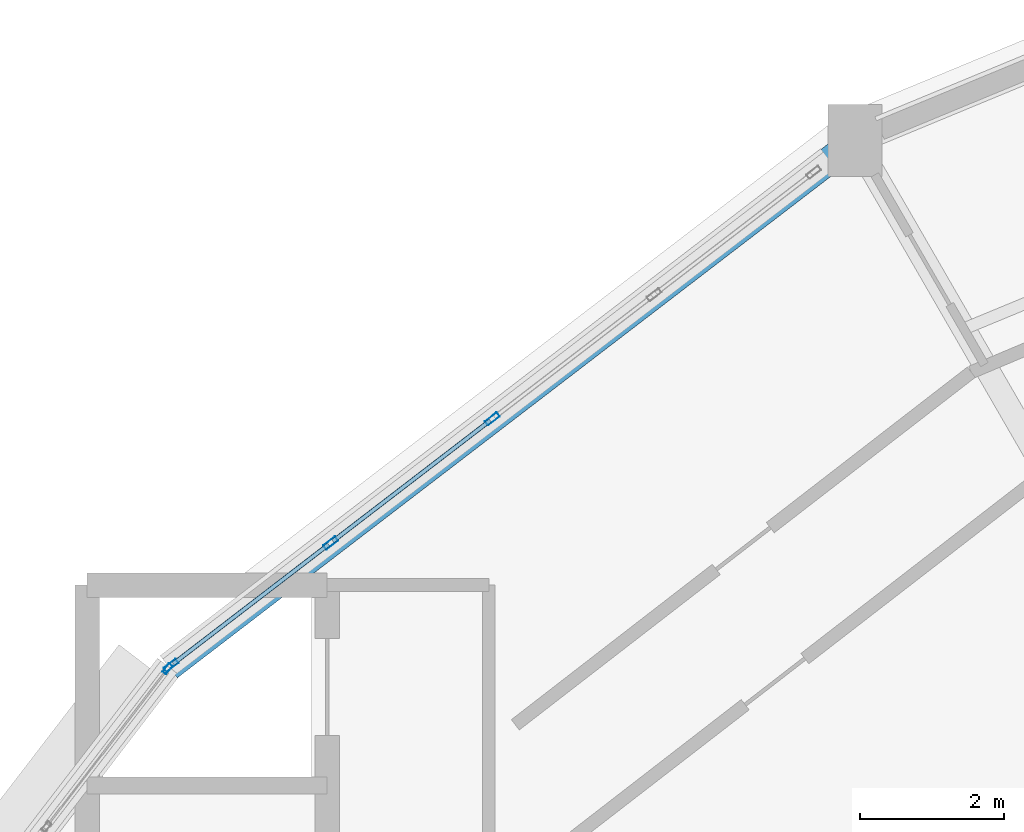
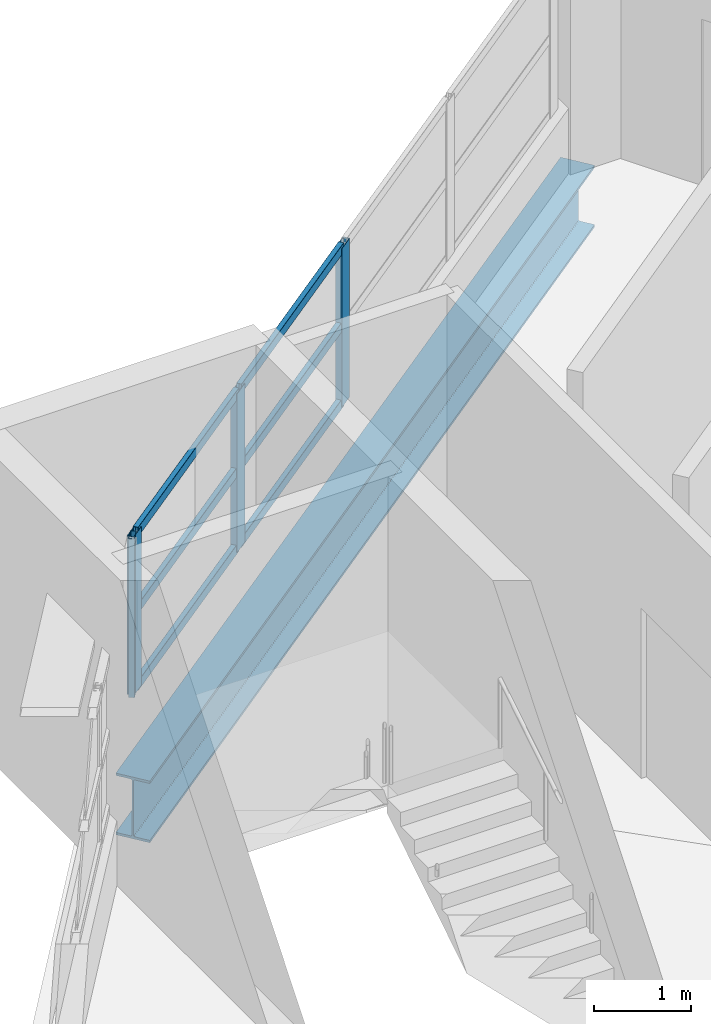
# One storey, part 26 of 53: 10 members, 1 beam, 2 elements without a shape of their own.
"""IFC4 building model written with IfcOpenShell, lengths in metres."""

from ifc_helpers import new_model, si_unit, direction, frame, origin, origin_2d, place, context, subcontext, project, spatial, hollow_rectangle, i_section, extrude, material, layer, layer_set, material_profile, profile_set, type_object, element, aggregate, save


model = new_model("IFC4")

# Units and contexts
model_context = context("Model", 3, precision=1e-05, world=origin(), true_north=direction((0.0, 1.0)))
body_context = subcontext(model_context, "Body", "Model", "MODEL_VIEW")
ifc_project = project(units=[si_unit("LENGTHUNIT", "METRE"), si_unit("AREAUNIT", "SQUARE_METRE"), si_unit("VOLUMEUNIT", "CUBIC_METRE"), si_unit("PLANEANGLEUNIT", "RADIAN"), si_unit("MASSUNIT", "GRAM", prefix="KILO")], contexts=[model_context])

# Site, building, storey
site_placement = place(None, origin())
site = spatial("IfcSite", under=ifc_project, at=site_placement, CompositionType="ELEMENT")
building_placement = place(site_placement, origin())
building = spatial("IfcBuilding", under=site, at=building_placement, Name="Vespera Passage Community Centre", CompositionType="ELEMENT")
storey_placement = place(building_placement, frame((0.0, 0.0, 20.39990234375)))
storey = spatial("IfcBuildingStorey", under=building, at=storey_placement, Name="L05", CompositionType="ELEMENT", Elevation=20.39990234375)

# Beam
ifc_material_1 = material(Name="Steel ASTM A992 Grade 50", Category="steel")
ifc_material_profile_1 = material_profile(ifc_material_1, i_section(OverallWidth=0.382080078125, OverallDepth=0.779296875, WebThickness=0.01806640625, FlangeThickness=0.030029296875, FilletRadius=0.0166015625, at=origin_2d()), Name="W30X191")
ifc_profile_set_1 = profile_set([ifc_material_profile_1], Name="Steel ASTM A992 Grade 50")
beam_type = type_object("IfcBeamType", Name="BM-SP-W30X191E", PredefinedType="SPANDREL", material=ifc_profile_set_1)
beam_placement = place(storey_placement, frame((54.949951171875, 105.423828125, -0.649658203125), z_axis=(-0.793351934501, -0.608763261066, 0.0), x_axis=(0.608763261066, -0.793351934501, 0.0)))
element("IfcBeam", 1, at=beam_placement, inside=storey, type_object=beam_type, Name="V4 L05 Outer Spandrel 8", PredefinedType="SPANDREL", context=body_context, shape_type="SweptSolid", body=[
    extrude(i_section(OverallWidth=0.382080078125, OverallDepth=0.779296875, WebThickness=0.01806640625, FlangeThickness=0.030029296875, FilletRadius=0.0166015625, at=origin_2d()), origin(), (0.0, 0.0, 1.0), 12.034423828125),
])

# Curtain wall, member
ifc_material_2 = material(Name="Anodized aluminium 6063-T6", Category="aluminium")
ifc_layer_1 = layer(ifc_material_2, 0.159912109375)
ifc_layer_set_1 = layer_set([ifc_layer_1], Name="Anodized aluminium 6063-T6")
curtain_wall_type_1 = type_object("IfcCurtainWallType", Name="CW-62E", PredefinedType="NOTDEFINED", material=ifc_layer_set_1)
curtain_wall_1_placement = place(storey_placement, origin())
curtain_wall_1 = element("IfcCurtainWall", 2, at=curtain_wall_1_placement, inside=storey, type_object=curtain_wall_type_1, Name="V4 L05 Outer Ribbon Curtain Wall 9", PredefinedType="NOTDEFINED")
ifc_material_3 = material(Name="Anodized aluminium 6063-T6", Category="aluminium")
ifc_material_profile_2 = material_profile(ifc_material_3, hollow_rectangle(XDim=0.06494140625, YDim=0.14990234375, WallThickness=0.00390625, InnerFilletRadius=0.001953125, OuterFilletRadius=0.00390625, at=origin_2d()), Name="ALU150X65X4")
ifc_profile_set_2 = profile_set([ifc_material_profile_2], Name="Anodized aluminium 6063-T6")
member_type_1 = type_object("IfcMemberType", Name="MB-CWM-150E", PredefinedType="MULLION", material=ifc_profile_set_2)
member_1_placement = place(storey_placement, frame((45.382568359375, 98.07177734375, 0.820068359375), z_axis=(0.0, 0.0, 1.0), x_axis=(-0.793350429062, 0.608765222978, 0.0)))
member_1 = element("IfcMember", 3, at=member_1_placement, type_object=member_type_1, Name="CW-62E mullion 5", PredefinedType="MULLION", context=body_context, shape_type="SweptSolid", body=[
    extrude(hollow_rectangle(XDim=0.06494140625, YDim=0.14990234375, WallThickness=0.00390625, InnerFilletRadius=0.001953125, OuterFilletRadius=0.00390625, at=origin_2d()), origin(), (0.0, 0.0, 1.0), 2.005615234375),
])
aggregate(curtain_wall_1, [member_1])

# Curtain wall, members
ifc_material_4 = material(Name="Anodized aluminium 6063-T6", Category="aluminium")
ifc_layer_2 = layer(ifc_material_4, 0.159912109375)
ifc_layer_set_2 = layer_set([ifc_layer_2], Name="Anodized aluminium 6063-T6")
curtain_wall_type_2 = type_object("IfcCurtainWallType", Name="CW-60E", PredefinedType="NOTDEFINED", material=ifc_layer_set_2)
curtain_wall_2_placement = place(storey_placement, origin())
curtain_wall_2 = element("IfcCurtainWall", 4, at=curtain_wall_2_placement, inside=storey, type_object=curtain_wall_type_2, Name="V4 L05 Outer Ribbon Curtain Wall 8", PredefinedType="NOTDEFINED")
ifc_material_5 = material(Name="Anodized aluminium 6063-T6", Category="aluminium")
ifc_material_profile_3 = material_profile(ifc_material_5, hollow_rectangle(XDim=0.074951171875, YDim=0.2099609375, WallThickness=0.0048828125, InnerFilletRadius=0.00244140625, OuterFilletRadius=0.0048828125, at=origin_2d()), Name="ALU210X75X5")
ifc_profile_set_3 = profile_set([ifc_material_profile_3], Name="Anodized aluminium 6063-T6")
member_type_2 = type_object("IfcMemberType", Name="MB-CWM-210E", PredefinedType="MULLION", material=ifc_profile_set_3)
member_2_placement = place(storey_placement, frame((45.43212890625, 98.120361328125, 0.820068359375), z_axis=(0.0, 0.0, 1.0), x_axis=(-0.608768221519, 0.793348128169, 0.0)))
member_2 = element("IfcMember", 5, at=member_2_placement, type_object=member_type_2, Name="CW-60E mullion 1", PredefinedType="MULLION", context=body_context, shape_type="SweptSolid", body=[
    extrude(hollow_rectangle(XDim=0.074951171875, YDim=0.2099609375, WallThickness=0.0048828125, InnerFilletRadius=0.00244140625, OuterFilletRadius=0.0048828125, at=origin_2d()), origin(), (0.0, 0.0, 1.0), 2.005615234375),
])
member_3_placement = place(storey_placement, frame((47.65283203125, 99.824462890625, 0.820068359375), z_axis=(0.0, 0.0, 1.0), x_axis=(-0.608768221519, 0.793348128169, 0.0)))
member_3 = element("IfcMember", 6, at=member_3_placement, type_object=member_type_2, Name="CW-60E mullion 2", PredefinedType="MULLION", context=body_context, shape_type="SweptSolid", body=[
    extrude(hollow_rectangle(XDim=0.074951171875, YDim=0.2099609375, WallThickness=0.0048828125, InnerFilletRadius=0.00244140625, OuterFilletRadius=0.0048828125, at=origin_2d()), origin(), (0.0, 0.0, 1.0), 2.005615234375),
])
member_4_placement = place(storey_placement, frame((49.9033203125, 101.551513671875, 0.820068359375), z_axis=(0.0, 0.0, 1.0), x_axis=(-0.608768221519, 0.793348128169, 0.0)))
member_4 = element("IfcMember", 7, at=member_4_placement, type_object=member_type_2, Name="CW-60E mullion 3", PredefinedType="MULLION", context=body_context, shape_type="SweptSolid", body=[
    extrude(hollow_rectangle(XDim=0.074951171875, YDim=0.2099609375, WallThickness=0.0048828125, InnerFilletRadius=0.00244140625, OuterFilletRadius=0.0048828125, at=origin_2d()), origin(), (0.0, 0.0, 1.0), 2.005615234375),
])
ifc_material_6 = material(Name="Anodized aluminium 6063-T6", Category="aluminium")
ifc_material_profile_4 = material_profile(ifc_material_6, hollow_rectangle(XDim=0.06005859375, YDim=0.1201171875, WallThickness=0.00390625, InnerFilletRadius=0.001953125, OuterFilletRadius=0.00390625, at=origin_2d()), Name="ALU120X60X4")
ifc_profile_set_4 = profile_set([ifc_material_profile_4], Name="Anodized aluminium 6063-T6")
member_type_3 = type_object("IfcMemberType", Name="MB-CWT-120E", PredefinedType="USERDEFINED", material=ifc_profile_set_4)
member_5_placement = place(storey_placement, frame((45.4619140625, 98.143310546875, 0.85009765625), z_axis=(0.793326438597, 0.608796486375, 0.0), x_axis=(-0.608796486375, 0.793326438597, 0.0)))
member_5 = element("IfcMember", 8, at=member_5_placement, type_object=member_type_3, Name="CW-60E transom 1.1", ObjectType="TRANSOM", PredefinedType="USERDEFINED", context=body_context, shape_type="SweptSolid", body=[
    extrude(hollow_rectangle(XDim=0.06005859375, YDim=0.1201171875, WallThickness=0.00390625, InnerFilletRadius=0.001953125, OuterFilletRadius=0.00390625, at=origin_2d()), origin(), (0.0, 0.0, 1.0), 2.72412109375),
])
member_6_placement = place(storey_placement, frame((45.4619140625, 98.143310546875, 1.822998046875), z_axis=(0.793326438597, 0.608796486375, 0.0), x_axis=(-0.608796486375, 0.793326438597, 0.0)))
member_6 = element("IfcMember", 9, at=member_6_placement, type_object=member_type_3, Name="CW-60E transom 1.2", ObjectType="TRANSOM", PredefinedType="USERDEFINED", context=body_context, shape_type="SweptSolid", body=[
    extrude(hollow_rectangle(XDim=0.06005859375, YDim=0.1201171875, WallThickness=0.00390625, InnerFilletRadius=0.001953125, OuterFilletRadius=0.00390625, at=origin_2d()), origin(), (0.0, 0.0, 1.0), 2.72412109375),
])
member_7_placement = place(storey_placement, frame((45.4619140625, 98.143310546875, 2.7958984375), z_axis=(0.793326438597, 0.608796486375, 0.0), x_axis=(-0.608796486375, 0.793326438597, 0.0)))
member_7 = element("IfcMember", 10, at=member_7_placement, type_object=member_type_3, Name="CW-60E transom 1.3", ObjectType="TRANSOM", PredefinedType="USERDEFINED", context=body_context, shape_type="SweptSolid", body=[
    extrude(hollow_rectangle(XDim=0.06005859375, YDim=0.1201171875, WallThickness=0.00390625, InnerFilletRadius=0.001953125, OuterFilletRadius=0.00390625, at=origin_2d()), origin(), (0.0, 0.0, 1.0), 2.72412109375),
])
member_8_placement = place(storey_placement, frame((47.6826171875, 99.847412109375, 0.85009765625), z_axis=(0.793353015375, 0.608761852448, 0.0), x_axis=(-0.608761852448, 0.793353015375, 0.0)))
member_8 = element("IfcMember", 11, at=member_8_placement, type_object=member_type_3, Name="CW-60E transom 2.1", ObjectType="TRANSOM", PredefinedType="USERDEFINED", context=body_context, shape_type="SweptSolid", body=[
    extrude(hollow_rectangle(XDim=0.06005859375, YDim=0.1201171875, WallThickness=0.00390625, InnerFilletRadius=0.001953125, OuterFilletRadius=0.00390625, at=origin_2d()), origin(), (0.0, 0.0, 1.0), 2.761474609375),
])
member_9_placement = place(storey_placement, frame((47.6826171875, 99.847412109375, 1.822998046875), z_axis=(0.793353015375, 0.608761852448, 0.0), x_axis=(-0.608761852448, 0.793353015375, 0.0)))
member_9 = element("IfcMember", 12, at=member_9_placement, type_object=member_type_3, Name="CW-60E transom 2.2", ObjectType="TRANSOM", PredefinedType="USERDEFINED", context=body_context, shape_type="SweptSolid", body=[
    extrude(hollow_rectangle(XDim=0.06005859375, YDim=0.1201171875, WallThickness=0.00390625, InnerFilletRadius=0.001953125, OuterFilletRadius=0.00390625, at=origin_2d()), origin(), (0.0, 0.0, 1.0), 2.761474609375),
])
member_10_placement = place(storey_placement, frame((47.6826171875, 99.847412109375, 2.7958984375), z_axis=(0.793353015375, 0.608761852448, 0.0), x_axis=(-0.608761852448, 0.793353015375, 0.0)))
member_10 = element("IfcMember", 13, at=member_10_placement, type_object=member_type_3, Name="CW-60E transom 2.3", ObjectType="TRANSOM", PredefinedType="USERDEFINED", context=body_context, shape_type="SweptSolid", body=[
    extrude(hollow_rectangle(XDim=0.06005859375, YDim=0.1201171875, WallThickness=0.00390625, InnerFilletRadius=0.001953125, OuterFilletRadius=0.00390625, at=origin_2d()), origin(), (0.0, 0.0, 1.0), 2.761474609375),
])
aggregate(curtain_wall_2, [member_2, member_3, member_4, member_5, member_6, member_7, member_8, member_9, member_10])

save(model, "model.ifc")
